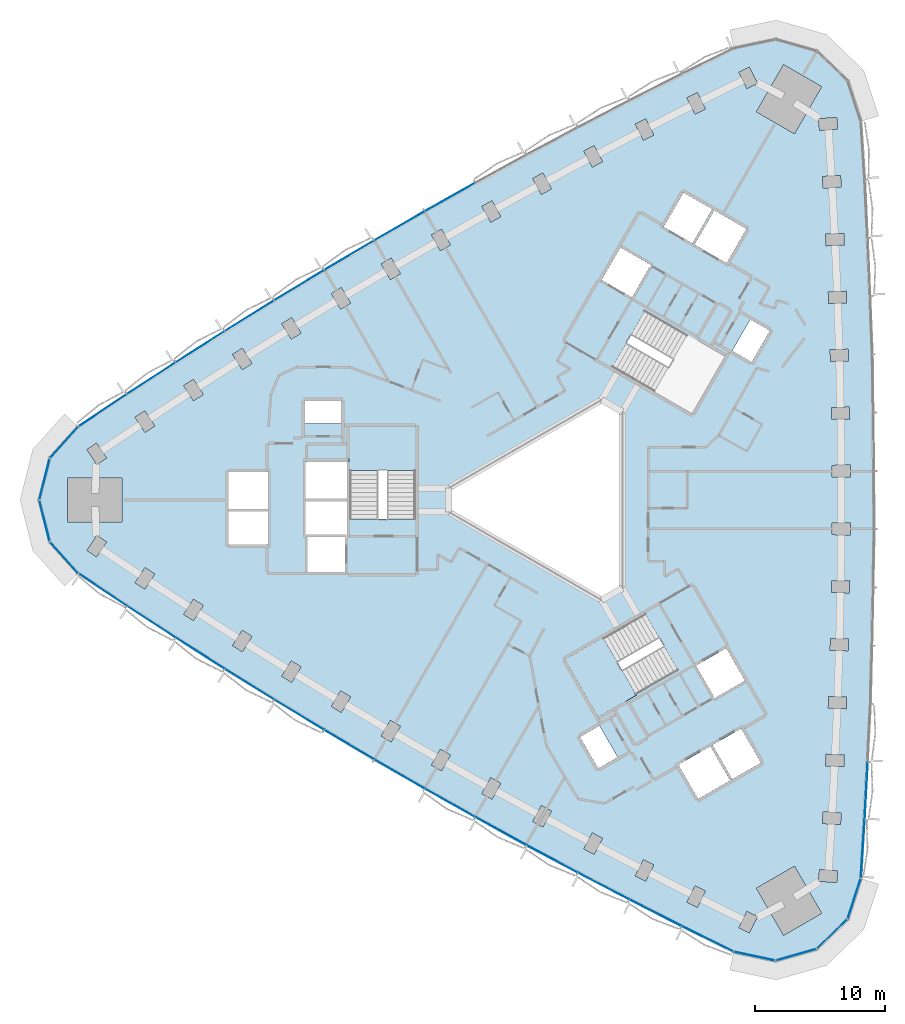
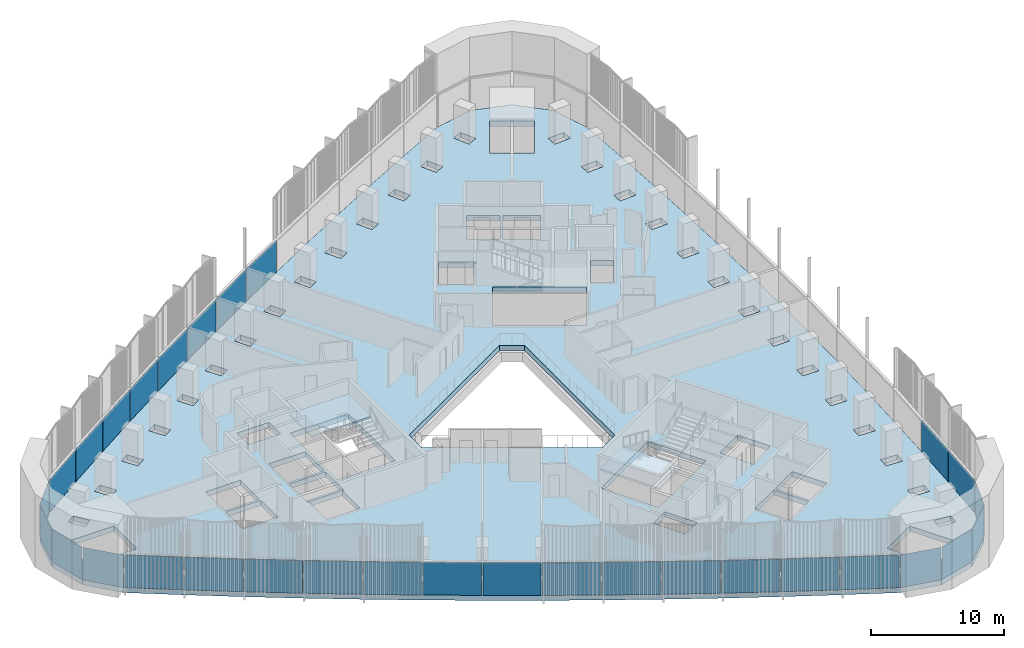
# One storey, part 8 of 16: 31 plates, 3 slabs, 5 elements without a shape of their own.
"""IFC4 building model written with IfcOpenShell, lengths in metres."""

import ifcopenshell
import ifcopenshell.guid

model = None  # the IFC model being written
_history = None  # IfcOwnerHistory: only IFC2X3 demands one
_inside = {}  # id of a spatial element -> (the spatial element, [elements in it])
_under = {}  # id of a project, library or spatial element -> (it, [spatial elements below it])
_declared = {}  # id of a project -> (the project, [libraries it declares])
_typed = {}  # id of a type object -> (the type object, [elements of that type])
_made_of = {}  # id of a material, layer set ... -> (it, [elements and type objects made of it])


def new_model(schema):
    """Start an empty IFC model of exactly this schema.

    Asked for "IFC4X3", IfcOpenShell would pick the latest addendum, in which some entities
    have other attributes; the version numbers below select the first issue.
    IFC2X3 requires an IfcOwnerHistory on every rooted entity: one is made here for all.
    """
    global model, _history
    if schema == "IFC4X3":
        model = ifcopenshell.file(schema_version=(4, 3, 0, 0))
    else:
        model = ifcopenshell.file(schema=schema)
    _inside.clear()
    _under.clear()
    _declared.clear()
    _typed.clear()
    _made_of.clear()
    _history = None
    if model.schema == "IFC2X3":
        org = make("IfcOrganization", Name="unknown")
        user = make(
            "IfcPersonAndOrganization",
            ThePerson=make("IfcPerson", FamilyName="unknown"),
            TheOrganization=org,
        )
        app = make(
            "IfcApplication",
            ApplicationDeveloper=org,
            Version="unknown",
            ApplicationFullName="unknown",
            ApplicationIdentifier="unknown",
        )
        _history = make(
            "IfcOwnerHistory",
            OwningUser=user,
            OwningApplication=app,
            ChangeAction="ADDED",
            CreationDate=0,
        )
    return model


def make(cls, **values):
    """One entity of the class cls with the attributes given. An attribute that is None is left unset."""
    return model.create_entity(
        cls, **{name: value for name, value in values.items() if value is not None}
    )


def rooted(cls, **values):
    """An entity with a GlobalId (a new one), such as an element, a storey or a relation."""
    return make(cls, GlobalId=ifcopenshell.guid.new(), OwnerHistory=_history, **values)


def si_unit(unit_type, name, prefix=None):
    """IfcSIUnit, for example si_unit("LENGTHUNIT", "METRE", prefix="MILLI")."""
    return make("IfcSIUnit", UnitType=unit_type, Prefix=prefix, Name=name)


def assignment(units):
    """IfcUnitAssignment: the units of a project."""
    return None if units is None else make("IfcUnitAssignment", Units=units)


def point(xyz):
    """IfcCartesianPoint."""
    return None if xyz is None else make("IfcCartesianPoint", Coordinates=xyz)


def direction(xyz):
    """IfcDirection."""
    return None if xyz is None else make("IfcDirection", DirectionRatios=xyz)


def frame(location, z_axis=None, x_axis=None):
    """IfcAxis2Placement3D, a coordinate frame: its origin and axes. An axis left out is left unset."""
    return make(
        "IfcAxis2Placement3D",
        Location=point(location),
        Axis=direction(z_axis),
        RefDirection=direction(x_axis),
    )


def frame_2d(location, x_axis=None):
    """IfcAxis2Placement2D, a coordinate frame in the plane: its origin and x axis."""
    return make(
        "IfcAxis2Placement2D", Location=point(location), RefDirection=direction(x_axis)
    )


def origin():
    """The frame at (0, 0, 0) with its axes left unset."""
    return frame((0.0, 0.0, 0.0))


def origin_2d():
    """The frame at (0, 0) in the plane with its x axis left unset."""
    return frame_2d((0.0, 0.0))


def place(relative_to, where):
    """IfcLocalPlacement: puts the frame where relative to a parent placement (None: the world)."""
    return make(
        "IfcLocalPlacement", PlacementRelTo=relative_to, RelativePlacement=where
    )


def context(
    kind, dimensions, precision=None, world=None, true_north=None, identifier=None
):
    """IfcGeometricRepresentationContext, for example the 3D "Model" context."""
    return make(
        "IfcGeometricRepresentationContext",
        ContextIdentifier=identifier,
        ContextType=kind,
        CoordinateSpaceDimension=dimensions,
        Precision=precision,
        WorldCoordinateSystem=world,
        TrueNorth=true_north,
    )


def subcontext(parent, identifier, kind, view, scale=None):
    """IfcGeometricRepresentationSubContext, for example "Body" below "Model"."""
    return make(
        "IfcGeometricRepresentationSubContext",
        ContextIdentifier=identifier,
        ContextType=kind,
        ParentContext=parent,
        TargetScale=scale,
        TargetView=view,
    )


def project(units=None, contexts=None):
    """IfcProject with its units and contexts."""
    return rooted(
        "IfcProject",
        Name="project",
        RepresentationContexts=contexts,
        UnitsInContext=assignment(units),
    )


def spatial(cls, under=None, at=None, **own):
    """A site, building, storey or space (cls), placed at a placement, below another one or the project."""
    s = rooted(cls, ObjectPlacement=at, **own)
    if under is not None:
        _under.setdefault(under.id(), (under, []))[1].append(s)
    return s


def polyline(points):
    """IfcPolyline through the points."""
    return make("IfcPolyline", Points=[point(p) for p in points])


def profile(cls, at=None, kind="AREA", **sizes):
    """A parametric profile (cls). Its sizes go by their IFC names, for example OverallWidth=200.0."""
    return make(cls, ProfileType=kind, Position=at, **sizes)


def rectangle(**sizes):
    """IfcRectangleProfileDef."""
    return profile("IfcRectangleProfileDef", **sizes)


def outline(outer, holes=None, kind="AREA"):
    """IfcArbitraryClosedProfileDef: a profile drawn as a closed curve; with holes, ...WithVoids."""
    if holes is None:
        return make("IfcArbitraryClosedProfileDef", ProfileType=kind, OuterCurve=outer)
    return make(
        "IfcArbitraryProfileDefWithVoids",
        ProfileType=kind,
        OuterCurve=outer,
        InnerCurves=holes,
    )


def extrude(swept, where, along, depth):
    """IfcExtrudedAreaSolid: the profile swept, set in the frame where, extruded along a direction by depth."""
    return make(
        "IfcExtrudedAreaSolid",
        SweptArea=swept,
        Position=where,
        ExtrudedDirection=direction(along),
        Depth=depth,
    )


def shape(context_of_items, identifier, shape_type, items):
    """IfcShapeRepresentation: the items that make up one representation, for example the "Body"."""
    return make(
        "IfcShapeRepresentation",
        ContextOfItems=context_of_items,
        RepresentationIdentifier=identifier,
        RepresentationType=shape_type,
        Items=items,
    )


def material(Name=None, Category=None):
    """IfcMaterial."""
    return make("IfcMaterial", Name=Name, Category=Category)


def layer(
    of_material, thickness, ventilated=None, Name=None, Category=None, Priority=None
):
    """IfcMaterialLayer: one layer of a wall or slab, of a material (None: an air gap)."""
    return make(
        "IfcMaterialLayer",
        Material=of_material,
        LayerThickness=thickness,
        IsVentilated=ventilated,
        Name=Name,
        Category=Category,
        Priority=Priority,
    )


def layer_set(layers, Name=None):
    """IfcMaterialLayerSet."""
    return make("IfcMaterialLayerSet", MaterialLayers=layers, LayerSetName=Name)


def made_of(thing, what):
    """Note that an element or type object is made of a material, layer set ...; save() writes the relation."""
    if what is not None:
        _made_of.setdefault(what.id(), (what, []))[1].append(thing)
    return thing


def type_object(cls, material=None, **own):
    """A type object (cls), such as IfcWallType, which elements share."""
    return made_of(rooted(cls, **own), material)


def element(
    cls,
    number,
    at=None,
    inside=None,
    cuts=None,
    type_object=None,
    material=None,
    context=None,
    identifier="Body",
    shape_type=None,
    held_by="IfcProductDefinitionShape",
    body=None,
    shapes=None,
    **own,
):
    """One element of the class cls, such as IfcWall. Its Tag is "e" and its number.

    at: its placement. inside: the storey or other place that contains it. cuts: it is an
    opening in that element (IfcRelVoidsElement). A single representation is given by context,
    identifier, shape_type and body (its items); several are given by shapes. held_by: the class
    of the entity that holds the representations. save() writes the other relations.
    """
    e = rooted(cls, Tag="e%d" % number, ObjectPlacement=at, **own)
    if body is not None:
        shapes = [shape(context, identifier, shape_type, body)]
    if shapes is not None:
        e.Representation = make(held_by, Representations=shapes)
    if inside is not None:
        _inside.setdefault(inside.id(), (inside, []))[1].append(e)
    if cuts is not None:
        rooted(
            "IfcRelVoidsElement", RelatingBuildingElement=cuts, RelatedOpeningElement=e
        )
    if type_object is not None:
        _typed.setdefault(type_object.id(), (type_object, []))[1].append(e)
    return made_of(e, material)


def aggregate(whole, parts):
    """IfcRelAggregates: a whole, such as a stair, and the parts it consists of."""
    return rooted("IfcRelAggregates", RelatingObject=whole, RelatedObjects=parts)


def save(model, path):
    """Write the relations noted so far, then the file.

    IfcRelAggregates (storeys below a building ...), IfcRelContainedInSpatialStructure (elements
    in a storey), IfcRelDefinesByType, IfcRelAssociatesMaterial and IfcRelDeclares: one each for
    every whole, place, type object, material and project.
    """
    for whole, parts in _under.values():
        aggregate(whole, parts)
    for where, things in _inside.values():
        rooted(
            "IfcRelContainedInSpatialStructure",
            RelatedElements=things,
            RelatingStructure=where,
        )
    for kind, things in _typed.values():
        rooted("IfcRelDefinesByType", RelatedObjects=things, RelatingType=kind)
    for what, things in _made_of.values():
        rooted("IfcRelAssociatesMaterial", RelatedObjects=things, RelatingMaterial=what)
    for by, libraries in _declared.values():
        rooted("IfcRelDeclares", RelatingContext=by, RelatedDefinitions=libraries)
    model.write(path)


model = new_model("IFC4")

# Units and contexts
model_context = context("Model", 3, precision=1e-05, world=origin(), true_north=direction((0.0, 1.0)))
body_context = subcontext(model_context, "Body", "Model", "MODEL_VIEW")
ifc_project = project(units=[si_unit("LENGTHUNIT", "METRE"), si_unit("AREAUNIT", "SQUARE_METRE"), si_unit("VOLUMEUNIT", "CUBIC_METRE"), si_unit("PLANEANGLEUNIT", "RADIAN"), si_unit("MASSUNIT", "GRAM", prefix="KILO")], contexts=[model_context])

# Site, building, storey
site_placement = place(None, origin())
site = spatial("IfcSite", under=ifc_project, at=site_placement, CompositionType="ELEMENT")
building_placement = place(site_placement, origin())
building = spatial("IfcBuilding", under=site, at=building_placement, Name="Tamra Quay Hotel Tower", CompositionType="ELEMENT")
storey_placement = place(building_placement, frame((0.0, 0.0, 45.800048828125)))
storey = spatial("IfcBuildingStorey", under=building, at=storey_placement, Name="L09", CompositionType="ELEMENT", Elevation=45.800048828125)

# Stair, slab
ifc_material_1 = material(Name="Exit stair 2200 24 risers 150.0 going 342")
stair_type = type_object("IfcStairType", Name="Exit stair 2200 24 risers 150.0 going 342", PredefinedType="HALF_TURN_STAIR", material=ifc_material_1)
stair_1_placement = place(storey_placement, origin())
stair_1 = element("IfcStair", 1, at=stair_1_placement, inside=storey, type_object=stair_type, Name="L09 Exit stair ST3", PredefinedType="HALF_TURN_STAIR")
ifc_material_2 = material(Name="Concrete M70", Category="concrete")
ifc_layer_1 = layer(ifc_material_2, 0.175048828125)
ifc_layer_set_1 = layer_set([ifc_layer_1], Name="Concrete M70 stair landing 180")
slab_type_1 = type_object("IfcSlabType", Name="Concrete M70 stair landing 180", PredefinedType="LANDING", material=ifc_layer_set_1)
slab_1_placement = place(storey_placement, frame((0.0, 0.0, 1.625)))
slab_1 = element("IfcSlab", 2, at=slab_1_placement, type_object=slab_type_1, Name="ST3 landing 1", PredefinedType="LANDING", context=body_context, shape_type="SweptSolid", body=[
    extrude(outline(polyline([(-10.932373046875, 2.261962890625), (-10.932373046875, 5.679931640625), (-16.09130859375, 5.679931640625), (-16.09130859375, 2.261962890625), (-10.932373046875, 2.261962890625)])), origin(), (0.0, 0.0, 1.0), 0.175048828125),
])
aggregate(stair_1, [slab_1])

stair_2_placement = place(storey_placement, origin())
stair_2 = element("IfcStair", 3, at=stair_2_placement, inside=storey, type_object=stair_type, Name="L09 Exit stair ST2", PredefinedType="HALF_TURN_STAIR")
slab_2_placement = place(storey_placement, frame((0.0, 0.0, 1.625)))
slab_2 = element("IfcSlab", 4, at=slab_2_placement, type_object=slab_type_1, Name="ST2 landing 1", PredefinedType="LANDING", context=body_context, shape_type="SweptSolid", body=[
    extrude(outline(polyline([(3.50732421875, -10.5986328125), (0.547119140625, -12.3076171875), (3.126708984375, -16.775390625), (6.086669921875, -15.06640625), (3.50732421875, -10.5986328125)])), origin(), (0.0, 0.0, 1.0), 0.175048828125),
])
aggregate(stair_2, [slab_2])

# Slab
ifc_material_3 = material(Name="Concrete M60", Category="concrete")
ifc_layer_2 = layer(ifc_material_3, 0.47509765625)
ifc_layer_set_2 = layer_set([ifc_layer_2], Name="FLOOR SLAB PT 475")
slab_type_2 = type_object("IfcSlabType", Name="FLOOR SLAB PT 475", PredefinedType="FLOOR", material=ifc_layer_set_2)
slab_3_placement = place(storey_placement, frame((0.0, 0.0, -0.47509765625)))
element("IfcSlab", 5, at=slab_3_placement, inside=storey, type_object=slab_type_2, Name="SLAB-L09", PredefinedType="FLOOR", context=body_context, shape_type="SweptSolid", body=[
    extrude(outline(polyline([(23.699951171875, 24.723876953125), (23.943115234375, 20.231689453125), (24.137939453125, 15.738525390625), (24.283935546875, 11.24365234375), (24.38134765625, 6.74560546875), (24.43017578125, 2.248779296875), (24.43017578125, -2.248779296875), (24.38134765625, -6.74560546875), (24.283935546875, -11.24365234375), (24.137939453125, -15.738525390625), (23.943115234375, -20.231689453125), (23.699951171875, -24.723876953125), (23.40869140625, -29.210693359375), (22.386474609375, -32.356201171875), (20.00732421875, -34.65380859375), (16.828125, -35.5654296875), (13.593017578125, -34.877685546875), (9.5615234375, -32.88671875), (5.54931640625, -30.851318359375), (1.56103515625, -28.773193359375), (-2.40478515625, -26.65234375), (-6.3486328125, -24.48779296875), (-10.267578125, -22.281494140625), (-14.162353515625, -20.03271484375), (-18.03271484375, -17.741943359375), (-21.879150390625, -15.40869140625), (-25.698974609375, -13.034912109375), (-29.49267578125, -10.61962890625), (-33.261474609375, -8.162841796875), (-37.001708984375, -5.6669921875), (-39.214599609375, -3.208984375), (-40.0146484375, 0.0), (-39.214599609375, 3.208984375), (-37.001708984375, 5.6669921875), (-33.261474609375, 8.162841796875), (-29.49267578125, 10.61962890625), (-25.698974609375, 13.034912109375), (-21.879150390625, 15.40869140625), (-18.03271484375, 17.741943359375), (-14.162353515625, 20.03271484375), (-10.267578125, 22.281494140625), (-6.3486328125, 24.48779296875), (-2.40478515625, 26.65234375), (1.56103515625, 28.773193359375), (5.54931640625, 30.851318359375), (9.5615234375, 32.88671875), (13.593017578125, 34.877685546875), (16.828125, 35.5654296875), (20.00732421875, 34.65380859375), (22.386474609375, 32.356201171875), (23.40869140625, 29.210693359375), (23.699951171875, 24.723876953125)]), holes=[polyline([(-17.475830078125, -15.935791015625), (-16.70361328125, -16.39794921875), (-15.984375, -15.19677734375), (-16.756591796875, -14.734619140625), (-17.475830078125, -15.935791015625)]), polyline([(-20.56884765625, -12.416015625), (-21.3017578125, -13.60888671875), (-20.534912109375, -14.080078125), (-19.802001953125, -12.88720703125), (-20.56884765625, -12.416015625)]), polyline([(-24.357177734375, -10.05615234375), (-25.102294921875, -11.2412109375), (-24.340576171875, -11.72021484375), (-23.59521484375, -10.53515625), (-24.357177734375, -10.05615234375)]), polyline([(-28.11962890625, -7.6552734375), (-28.87744140625, -8.83251953125), (-28.12060546875, -9.319580078125), (-27.36279296875, -8.142578125), (-28.11962890625, -7.6552734375)]), polyline([(-31.854736328125, -5.21435546875), (-32.6259765625, -6.3828125), (-31.874755859375, -6.878662109375), (-31.103515625, -5.710205078125), (-31.854736328125, -5.21435546875)]), polyline([(-16.3173828125, -2.85498046875), (-19.4072265625, -2.85498046875), (-19.4072265625, -2.89306640625), (-19.307373046875, -2.89306640625), (-19.307373046875, -5.544921875), (-16.417236328125, -5.544921875), (-16.417236328125, -2.89306640625), (-16.3173828125, -2.89306640625), (-16.3173828125, -2.85498046875)]), polyline([(-35.565185546875, -2.73291015625), (-36.347900390625, -3.8935546875), (-35.601806640625, -4.396728515625), (-34.819091796875, -3.236083984375), (-35.565185546875, -2.73291015625)]), polyline([(-22.3671875, -3.445068359375), (-22.3671875, -0.905029296875), (-25.4072265625, -0.905029296875), (-25.4072265625, -3.445068359375), (-22.3671875, -3.445068359375)]), polyline([(-19.417236328125, -2.89306640625), (-19.417236328125, -2.64501953125), (-16.307373046875, -2.64501953125), (-16.307373046875, -2.89306640625), (-16.26708984375, -2.89306640625), (-16.26708984375, -0.10498046875), (-19.45751953125, -0.10498046875), (-19.45751953125, -2.89306640625), (-19.417236328125, -2.89306640625)]), polyline([(-33.62890625, 1.699951171875), (-37.828857421875, 1.699951171875), (-37.828857421875, -1.699951171875), (-33.62890625, -1.699951171875), (-33.62890625, 1.699951171875)]), polyline([(-25.4072265625, -0.695068359375), (-22.3671875, -0.695068359375), (-22.3671875, 2.14501953125), (-25.4072265625, 2.14501953125), (-25.4072265625, -0.695068359375)]), polyline([(-19.45751953125, 0.10498046875), (-16.26708984375, 0.10498046875), (-16.26708984375, 2.945068359375), (-19.45751953125, 2.945068359375), (-19.45751953125, 0.10498046875)]), polyline([(-16.036376953125, -1.455078125), (-10.9873046875, -1.455078125), (-10.9873046875, 5.625), (-16.036376953125, 5.625), (-16.036376953125, -1.455078125)]), polyline([(-34.819091796875, 3.236083984375), (-35.601806640625, 4.396728515625), (-36.347900390625, 3.8935546875), (-35.565185546875, 2.73291015625), (-34.819091796875, 3.236083984375)]), polyline([(-31.103515625, 5.710205078125), (-31.874755859375, 6.878662109375), (-32.6259765625, 6.3828125), (-31.854736328125, 5.21435546875), (-31.103515625, 5.710205078125)]), polyline([(-16.71728515625, 7.64501953125), (-19.50732421875, 7.64501953125), (-19.50732421875, 5.9150390625), (-16.71728515625, 5.9150390625), (-16.71728515625, 7.64501953125)]), polyline([(-27.36279296875, 8.142578125), (-28.12060546875, 9.319580078125), (-28.87744140625, 8.83251953125), (-28.11962890625, 7.6552734375), (-27.36279296875, 8.142578125)]), polyline([(-23.59521484375, 10.53515625), (-24.340576171875, 11.72021484375), (-25.102294921875, 11.2412109375), (-24.357177734375, 10.05615234375), (-23.59521484375, 10.53515625)]), polyline([(-19.802001953125, 12.88720703125), (-20.534912109375, 14.080078125), (-21.3017578125, 13.60888671875), (-20.56884765625, 12.416015625), (-19.802001953125, 12.88720703125)]), polyline([(-15.984375, 15.19677734375), (-16.70361328125, 16.39794921875), (-17.475830078125, 15.935791015625), (-16.756591796875, 14.734619140625), (-15.984375, 15.19677734375)]), polyline([(-12.141357421875, 17.466064453125), (-12.84765625, 18.6748046875), (-13.624755859375, 18.220703125), (-12.918212890625, 17.011962890625), (-12.141357421875, 17.466064453125)]), polyline([(10.606689453125, -29.79150390625), (9.980224609375, -31.04345703125), (10.78515625, -31.4462890625), (11.41162109375, -30.194091796875), (10.606689453125, -29.79150390625)]), polyline([(6.6298828125, -27.76806640625), (5.9892578125, -29.012939453125), (6.78955078125, -29.4248046875), (7.43017578125, -28.179931640625), (6.6298828125, -27.76806640625)]), polyline([(2.673828125, -25.70166015625), (2.02001953125, -26.939697265625), (2.81591796875, -27.35986328125), (3.4697265625, -26.121826171875), (2.673828125, -25.70166015625)]), polyline([(-1.259521484375, -23.5927734375), (-1.92626953125, -24.82373046875), (-1.134765625, -25.252197265625), (-0.46826171875, -24.021240234375), (-1.259521484375, -23.5927734375)]), polyline([(-5.168701171875, -21.44140625), (-5.849365234375, -22.664794921875), (-5.06298828125, -23.102294921875), (-4.382080078125, -21.87890625), (-5.168701171875, -21.44140625)]), polyline([(13.3056640625, -21.65576171875), (11.78564453125, -19.02294921875), (9.325927734375, -20.443115234375), (10.845947265625, -23.075927734375), (13.3056640625, -21.65576171875)]), polyline([(-9.055419921875, -19.247802734375), (-9.7490234375, -20.4638671875), (-8.96728515625, -20.90966796875), (-8.273681640625, -19.693603515625), (-9.055419921875, -19.247802734375)]), polyline([(1.73779296875, -18.300048828125), (3.1328125, -20.71630859375), (4.631103515625, -19.851318359375), (3.236083984375, -17.43505859375), (1.73779296875, -18.300048828125)]), polyline([(-12.918212890625, -17.011962890625), (-13.624755859375, -18.220703125), (-12.84765625, -18.6748046875), (-12.141357421875, -17.466064453125), (-12.918212890625, -17.011962890625)]), polyline([(10.68115234375, -12.790283203125), (12.05615234375, -15.171875), (11.969482421875, -15.2216796875), (12.03955078125, -15.343017578125), (14.455810546875, -13.947998046875), (13.0107421875, -11.4453125), (10.68115234375, -12.790283203125)]), polyline([(9.2783203125, -13.160400390625), (6.75390625, -8.78759765625), (0.622314453125, -12.32763671875), (3.146728515625, -16.7001953125), (9.2783203125, -13.160400390625)]), polyline([(3.39990234375, 7.736572265625), (-8.39990234375, 0.923828125), (-8.39990234375, -0.923828125), (3.39990234375, -7.736572265625), (5.0, -6.812744140625), (5.0, 6.812744140625), (3.39990234375, 7.736572265625)]), polyline([(6.758056640625, 14.615478515625), (4.2333984375, 10.242919921875), (10.364990234375, 6.702880859375), (12.889404296875, 11.075439453125), (6.758056640625, 14.615478515625)]), polyline([(5.736083984375, 15.645263671875), (7.111083984375, 18.02685546875), (7.19775390625, 17.976806640625), (7.267578125, 18.09814453125), (4.8515625, 19.4931640625), (3.406494140625, 16.990234375), (5.736083984375, 15.645263671875)]), polyline([(-8.273681640625, 19.693603515625), (-8.96728515625, 20.90966796875), (-9.7490234375, 20.4638671875), (-9.055419921875, 19.247802734375), (-8.273681640625, 19.693603515625)]), polyline([(8.2001953125, 21.093017578125), (10.39990234375, 19.822998046875), (11.919921875, 22.455810546875), (9.72021484375, 23.725830078125), (8.2001953125, 21.093017578125)]), polyline([(-4.382080078125, 21.87890625), (-5.06298828125, 23.102294921875), (-5.849365234375, 22.664794921875), (-5.168701171875, 21.44140625), (-4.382080078125, 21.87890625)]), polyline([(-0.46826171875, 24.021240234375), (-1.134765625, 25.252197265625), (-1.92626953125, 24.82373046875), (-1.259521484375, 23.5927734375), (-0.46826171875, 24.021240234375)]), polyline([(3.4697265625, 26.121826171875), (2.81591796875, 27.35986328125), (2.02001953125, 26.939697265625), (2.673828125, 25.70166015625), (3.4697265625, 26.121826171875)]), polyline([(7.43017578125, 28.179931640625), (6.78955078125, 29.4248046875), (5.9892578125, 29.012939453125), (6.6298828125, 27.76806640625), (7.43017578125, 28.179931640625)]), polyline([(11.41162109375, 30.194091796875), (10.78515625, 31.4462890625), (9.980224609375, 31.04345703125), (10.606689453125, 29.79150390625), (11.41162109375, 30.194091796875)]), polyline([(14.60693359375, -31.772216796875), (13.993408203125, -33.030517578125), (14.80224609375, -33.425048828125), (15.416015625, -32.166748046875), (14.60693359375, -31.772216796875)]), polyline([(15.34228515625, -29.973388671875), (17.442138671875, -33.61083984375), (20.38671875, -31.910888671875), (18.28662109375, -28.2734375), (15.34228515625, -29.973388671875)]), polyline([(20.1494140625, -29.43408203125), (21.5458984375, -29.53173828125), (21.608642578125, -28.6337890625), (20.212158203125, -28.5361328125), (20.1494140625, -29.43408203125)]), polyline([(20.443115234375, -24.979736328125), (21.840576171875, -25.0634765625), (21.894287109375, -24.1650390625), (20.496826171875, -24.081298828125), (20.443115234375, -24.979736328125)]), polyline([(20.689453125, -20.524658203125), (22.087890625, -20.59228515625), (22.13134765625, -19.693359375), (20.73291015625, -19.625732421875), (20.689453125, -20.524658203125)]), polyline([(14.1669921875, -17.648193359375), (11.96728515625, -18.91796875), (13.487548828125, -21.55078125), (15.68701171875, -20.281005859375), (14.1669921875, -17.648193359375)]), polyline([(20.887451171875, -16.06591796875), (22.286376953125, -16.11865234375), (22.3203125, -15.219482421875), (20.92138671875, -15.16650390625), (20.887451171875, -16.06591796875)]), polyline([(21.037109375, -11.60498046875), (22.4365234375, -11.643310546875), (22.461181640625, -10.74365234375), (21.0615234375, -10.70556640625), (21.037109375, -11.60498046875)]), polyline([(21.138916015625, -7.144287109375), (22.538818359375, -7.16650390625), (22.552978515625, -6.2666015625), (21.153076171875, -6.244384765625), (21.138916015625, -7.144287109375)]), polyline([(21.19189453125, -2.681640625), (22.591796875, -2.68896484375), (22.5966796875, -1.7890625), (21.19677734375, -1.781494140625), (21.19189453125, -2.681640625)]), polyline([(21.19677734375, 1.781494140625), (22.5966796875, 1.7890625), (22.591796875, 2.68896484375), (21.19189453125, 2.681640625), (21.19677734375, 1.781494140625)]), polyline([(21.153076171875, 6.244384765625), (22.552978515625, 6.2666015625), (22.538818359375, 7.16650390625), (21.138916015625, 7.144287109375), (21.153076171875, 6.244384765625)]), polyline([(21.0615234375, 10.70556640625), (22.461181640625, 10.74365234375), (22.4365234375, 11.643310546875), (21.037109375, 11.60498046875), (21.0615234375, 10.70556640625)]), polyline([(14.9794921875, 10.655029296875), (16.37451171875, 13.0712890625), (14.876220703125, 13.936279296875), (13.481201171875, 11.52001953125), (14.9794921875, 10.655029296875)]), polyline([(20.92138671875, 15.16650390625), (22.3203125, 15.219482421875), (22.286376953125, 16.11865234375), (20.887451171875, 16.06591796875), (20.92138671875, 15.16650390625)]), polyline([(20.73291015625, 19.625732421875), (22.13134765625, 19.693359375), (22.087890625, 20.59228515625), (20.689453125, 20.524658203125), (20.73291015625, 19.625732421875)]), polyline([(12.101806640625, 22.350830078125), (10.58154296875, 19.718017578125), (13.041259765625, 18.298095703125), (14.561279296875, 20.930908203125), (12.101806640625, 22.350830078125)]), polyline([(20.496826171875, 24.081298828125), (21.894287109375, 24.1650390625), (21.840576171875, 25.0634765625), (20.443115234375, 24.979736328125), (20.496826171875, 24.081298828125)]), polyline([(20.212158203125, 28.5361328125), (21.608642578125, 28.6337890625), (21.5458984375, 29.53173828125), (20.1494140625, 29.43408203125), (20.212158203125, 28.5361328125)]), polyline([(18.28662109375, 28.2734375), (20.38671875, 31.910888671875), (17.442138671875, 33.61083984375), (15.34228515625, 29.973388671875), (18.28662109375, 28.2734375)]), polyline([(15.416015625, 32.166748046875), (14.80224609375, 33.425048828125), (13.993408203125, 33.030517578125), (14.60693359375, 31.772216796875), (15.416015625, 32.166748046875)])]), origin(), (0.0, 0.0, 1.0), 0.47509765625),
])

# Curtain wall, plates
ifc_material_4 = material(Name="Aluminium 6063 anodised dark grey", Category="aluminium")
curtain_wall_type_1 = type_object("IfcCurtainWallType", Name="CW1 CURTAIN WALL", PredefinedType="NOTDEFINED", material=ifc_material_4)
curtain_wall_1_placement = place(storey_placement, origin())
curtain_wall_1 = element("IfcCurtainWall", 6, at=curtain_wall_1_placement, inside=storey, type_object=curtain_wall_type_1, Name="CW1 east face L09", PredefinedType="NOTDEFINED")
ifc_material_5 = material(Name="Glass clear laminated low-iron", Category="glass")
ifc_layer_3 = layer(ifc_material_5, 0.035888671875)
ifc_layer_set_3 = layer_set([ifc_layer_3], Name="GLASS PANEL CW1 Z1")
plate_type_1 = type_object("IfcPlateType", Name="GLASS PANEL CW1 Z1", PredefinedType="CURTAIN_PANEL", material=ifc_layer_set_3)
plate_1_placement = place(storey_placement, frame((23.55419921875, -26.96728515625, 0.0), z_axis=(0.0, 0.0, 1.0), x_axis=(0.064813097616, 0.997897420769, 0.0)))
plate_1 = element("IfcPlate", 7, at=plate_1_placement, type_object=plate_type_1, Name="CW1 glass L09.E.1", PredefinedType="CURTAIN_PANEL", context=body_context, shape_type="SweptSolid", body=[
    extrude(rectangle(XDim=4.396484375, YDim=0.035888671875, at=origin_2d()), origin(), (0.0, 0.0, 1.0), 2.985107421875),
])
plate_2_placement = place(storey_placement, frame((23.821533203125, -22.477783203125, 0.0), z_axis=(0.0, 0.0, 1.0), x_axis=(0.054062119595, 0.998537574268, 0.0)))
plate_2 = element("IfcPlate", 8, at=plate_2_placement, type_object=plate_type_1, Name="CW1 glass L09.E.2", PredefinedType="CURTAIN_PANEL", context=body_context, shape_type="SweptSolid", body=[
    extrude(rectangle(XDim=4.39892578125, YDim=0.035888671875, at=origin_2d()), origin(), (0.0, 0.0, 1.0), 2.985107421875),
])
aggregate(curtain_wall_1, [plate_1, plate_2])

curtain_wall_type_2 = type_object("IfcCurtainWallType", Name="CW2 CURTAIN WALL", PredefinedType="NOTDEFINED", material=ifc_material_4)
curtain_wall_2_placement = place(storey_placement, origin())
curtain_wall_2 = element("IfcCurtainWall", 9, at=curtain_wall_2_placement, inside=storey, type_object=curtain_wall_type_2, Name="CW2 north-west face L09", PredefinedType="NOTDEFINED")
ifc_layer_4 = layer(ifc_material_5, 0.035888671875)
ifc_layer_set_4 = layer_set([ifc_layer_4], Name="GLASS PANEL CW2 Z1")
plate_type_2 = type_object("IfcPlateType", Name="GLASS PANEL CW2 Z1", PredefinedType="CURTAIN_PANEL", material=ifc_layer_set_4)
plate_3_placement = place(storey_placement, frame((-8.30810546875, 23.384521484375, 0.0), z_axis=(0.0, 0.0, 1.0), x_axis=(-0.871392472945, -0.490586544959, 0.0)))
plate_3 = element("IfcPlate", 10, at=plate_3_placement, type_object=plate_type_2, Name="CW2 glass L09.NW.6", PredefinedType="CURTAIN_PANEL", context=body_context, shape_type="SweptSolid", body=[
    extrude(rectangle(XDim=4.397216796875, YDim=0.035888671875, at=origin_2d()), origin(), (0.0, 0.0, 1.0), 2.985107421875),
])
plate_4_placement = place(storey_placement, frame((-12.215087890625, 21.156982421875, 0.0), z_axis=(0.0, 0.0, 1.0), x_axis=(-0.866025403784, -0.5, 0.0)))
plate_4 = element("IfcPlate", 11, at=plate_4_placement, type_object=plate_type_2, Name="CW2 glass L09.NW.7", PredefinedType="CURTAIN_PANEL", context=body_context, shape_type="SweptSolid", body=[
    extrude(rectangle(XDim=4.397216796875, YDim=0.035888671875, at=origin_2d()), origin(), (0.0, 0.0, 1.0), 2.985107421875),
])
plate_5_placement = place(storey_placement, frame((-16.09765625, 18.887451171875, 0.0), z_axis=(0.0, 0.0, 1.0), x_axis=(-0.860556647162, -0.509354745757, 0.0)))
plate_5 = element("IfcPlate", 12, at=plate_5_placement, type_object=plate_type_2, Name="CW2 glass L09.NW.8", PredefinedType="CURTAIN_PANEL", context=body_context, shape_type="SweptSolid", body=[
    extrude(rectangle(XDim=4.397216796875, YDim=0.035888671875, at=origin_2d()), origin(), (0.0, 0.0, 1.0), 2.985107421875),
])
plate_6_placement = place(storey_placement, frame((-19.955810546875, 16.575439453125, 0.0), z_axis=(0.0, 0.0, 1.0), x_axis=(-0.85499355735, -0.51863861878, 0.0)))
plate_6 = element("IfcPlate", 13, at=plate_6_placement, type_object=plate_type_2, Name="CW2 glass L09.NW.9", PredefinedType="CURTAIN_PANEL", context=body_context, shape_type="SweptSolid", body=[
    extrude(rectangle(XDim=4.39892578125, YDim=0.035888671875, at=origin_2d()), origin(), (0.0, 0.0, 1.0), 2.985107421875),
])
plate_7_placement = place(storey_placement, frame((-23.7890625, 14.2216796875, 0.0), z_axis=(0.0, 0.0, 1.0), x_axis=(-0.849331223164, -0.527860278254, 0.0)))
plate_7 = element("IfcPlate", 14, at=plate_7_placement, type_object=plate_type_2, Name="CW2 glass L09.NW.10", PredefinedType="CURTAIN_PANEL", context=body_context, shape_type="SweptSolid", body=[
    extrude(rectangle(XDim=4.397216796875, YDim=0.035888671875, at=origin_2d()), origin(), (0.0, 0.0, 1.0), 2.985107421875),
])
plate_8_placement = place(storey_placement, frame((-27.595703125, 11.8271484375, 0.0), z_axis=(0.0, 0.0, 1.0), x_axis=(-0.84357098627, -0.537017682319, 0.0)))
plate_8 = element("IfcPlate", 15, at=plate_8_placement, type_object=plate_type_2, Name="CW2 glass L09.NW.11", PredefinedType="CURTAIN_PANEL", context=body_context, shape_type="SweptSolid", body=[
    extrude(rectangle(XDim=4.397216796875, YDim=0.035888671875, at=origin_2d()), origin(), (0.0, 0.0, 1.0), 2.985107421875),
])
plate_9_placement = place(storey_placement, frame((-31.376953125, 9.391357421875, 0.0), z_axis=(0.0, 0.0, 1.0), x_axis=(-0.837727846152, -0.546087956086, 0.0)))
plate_9 = element("IfcPlate", 16, at=plate_9_placement, type_object=plate_type_2, Name="CW2 glass L09.NW.12", PredefinedType="CURTAIN_PANEL", context=body_context, shape_type="SweptSolid", body=[
    extrude(rectangle(XDim=4.39892578125, YDim=0.035888671875, at=origin_2d()), origin(), (0.0, 0.0, 1.0), 2.985107421875),
])
plate_10_placement = place(storey_placement, frame((-35.131591796875, 6.9150390625, 0.0), z_axis=(0.0, 0.0, 1.0), x_axis=(-0.831797967949, -0.555078499418, 0.0)))
plate_10 = element("IfcPlate", 17, at=plate_10_placement, type_object=plate_type_2, Name="CW2 glass L09.NW.13", PredefinedType="CURTAIN_PANEL", context=body_context, shape_type="SweptSolid", body=[
    extrude(rectangle(XDim=4.396484375, YDim=0.035888671875, at=origin_2d()), origin(), (0.0, 0.0, 1.0), 2.985107421875),
])
plate_11_placement = place(storey_placement, frame((-38.108154296875, 4.43798828125, 0.0), z_axis=(0.0, 0.0, 1.0), x_axis=(-0.669112198553, -0.743161399527, 0.0)))
plate_11 = element("IfcPlate", 18, at=plate_11_placement, type_object=plate_type_2, Name="CW2 glass L09.NW.14", PredefinedType="CURTAIN_PANEL", context=body_context, shape_type="SweptSolid", body=[
    extrude(rectangle(XDim=3.207275390625, YDim=0.035888671875, at=origin_2d()), origin(), (0.0, 0.0, 1.0), 2.985107421875),
])
plate_12_placement = place(storey_placement, frame((-39.61474609375, 1.6044921875, 0.0), z_axis=(0.0, 0.0, 1.0), x_axis=(-0.241913884219, -0.970297723702, 0.0)))
plate_12 = element("IfcPlate", 19, at=plate_12_placement, type_object=plate_type_2, Name="CW2 glass L09.NW.15", PredefinedType="CURTAIN_PANEL", context=body_context, shape_type="SweptSolid", body=[
    extrude(rectangle(XDim=3.207275390625, YDim=0.035888671875, at=origin_2d()), origin(), (0.0, 0.0, 1.0), 2.985107421875),
])
plate_13_placement = place(storey_placement, frame((-39.61474609375, -1.6044921875, 0.0), z_axis=(0.0, 0.0, 1.0), x_axis=(0.24191388422, -0.970297723702, 0.0)))
plate_13 = element("IfcPlate", 20, at=plate_13_placement, type_object=plate_type_2, Name="CW2 glass L09.NW.16", PredefinedType="CURTAIN_PANEL", context=body_context, shape_type="SweptSolid", body=[
    extrude(rectangle(XDim=3.207275390625, YDim=0.035888671875, at=origin_2d()), origin(), (0.0, 0.0, 1.0), 2.985107421875),
])
plate_14_placement = place(storey_placement, frame((-38.108154296875, -4.43798828125, 0.0), z_axis=(0.0, 0.0, 1.0), x_axis=(0.669112198553, -0.743161399527, 0.0)))
plate_14 = element("IfcPlate", 21, at=plate_14_placement, type_object=plate_type_2, Name="CW2 glass L09.NW.17", PredefinedType="CURTAIN_PANEL", context=body_context, shape_type="SweptSolid", body=[
    extrude(rectangle(XDim=3.207275390625, YDim=0.035888671875, at=origin_2d()), origin(), (0.0, 0.0, 1.0), 2.985107421875),
])
aggregate(curtain_wall_2, [plate_3, plate_4, plate_5, plate_6, plate_7, plate_8, plate_9, plate_10, plate_11, plate_12, plate_13, plate_14])

curtain_wall_type_3 = type_object("IfcCurtainWallType", Name="CW3 CURTAIN WALL", PredefinedType="NOTDEFINED", material=ifc_material_4)
curtain_wall_3_placement = place(storey_placement, origin())
curtain_wall_3 = element("IfcCurtainWall", 22, at=curtain_wall_3_placement, inside=storey, type_object=curtain_wall_type_3, Name="CW3 south-west face L09", PredefinedType="NOTDEFINED")
ifc_layer_5 = layer(ifc_material_5, 0.035888671875)
ifc_layer_set_5 = layer_set([ifc_layer_5], Name="GLASS PANEL CW3 Z1")
plate_type_3 = type_object("IfcPlateType", Name="GLASS PANEL CW3 Z1", PredefinedType="CURTAIN_PANEL", material=ifc_layer_set_5)
plate_15_placement = place(storey_placement, frame((-35.131591796875, -6.9150390625, 0.0), z_axis=(0.0, 0.0, 1.0), x_axis=(0.831797967949, -0.555078499418, 0.0)))
plate_15 = element("IfcPlate", 23, at=plate_15_placement, type_object=plate_type_3, Name="CW3 glass L09.SW.1", PredefinedType="CURTAIN_PANEL", context=body_context, shape_type="SweptSolid", body=[
    extrude(rectangle(XDim=4.396484375, YDim=0.035888671875, at=origin_2d()), origin(), (0.0, 0.0, 1.0), 2.985107421875),
])
plate_16_placement = place(storey_placement, frame((-31.376953125, -9.391357421875, 0.0), z_axis=(0.0, 0.0, 1.0), x_axis=(0.837727846152, -0.546087956086, 0.0)))
plate_16 = element("IfcPlate", 24, at=plate_16_placement, type_object=plate_type_3, Name="CW3 glass L09.SW.2", PredefinedType="CURTAIN_PANEL", context=body_context, shape_type="SweptSolid", body=[
    extrude(rectangle(XDim=4.39892578125, YDim=0.035888671875, at=origin_2d()), origin(), (0.0, 0.0, 1.0), 2.985107421875),
])
plate_17_placement = place(storey_placement, frame((-27.595703125, -11.8271484375, 0.0), z_axis=(0.0, 0.0, 1.0), x_axis=(0.84357098627, -0.537017682319, 0.0)))
plate_17 = element("IfcPlate", 25, at=plate_17_placement, type_object=plate_type_3, Name="CW3 glass L09.SW.3", PredefinedType="CURTAIN_PANEL", context=body_context, shape_type="SweptSolid", body=[
    extrude(rectangle(XDim=4.397216796875, YDim=0.035888671875, at=origin_2d()), origin(), (0.0, 0.0, 1.0), 2.985107421875),
])
plate_18_placement = place(storey_placement, frame((-23.7890625, -14.2216796875, 0.0), z_axis=(0.0, 0.0, 1.0), x_axis=(0.849331223164, -0.527860278254, 0.0)))
plate_18 = element("IfcPlate", 26, at=plate_18_placement, type_object=plate_type_3, Name="CW3 glass L09.SW.4", PredefinedType="CURTAIN_PANEL", context=body_context, shape_type="SweptSolid", body=[
    extrude(rectangle(XDim=4.397216796875, YDim=0.035888671875, at=origin_2d()), origin(), (0.0, 0.0, 1.0), 2.985107421875),
])
plate_19_placement = place(storey_placement, frame((-19.955810546875, -16.575439453125, 0.0), z_axis=(0.0, 0.0, 1.0), x_axis=(0.85499355735, -0.51863861878, 0.0)))
plate_19 = element("IfcPlate", 27, at=plate_19_placement, type_object=plate_type_3, Name="CW3 glass L09.SW.5", PredefinedType="CURTAIN_PANEL", context=body_context, shape_type="SweptSolid", body=[
    extrude(rectangle(XDim=4.39892578125, YDim=0.035888671875, at=origin_2d()), origin(), (0.0, 0.0, 1.0), 2.985107421875),
])
plate_20_placement = place(storey_placement, frame((-16.09765625, -18.887451171875, 0.0), z_axis=(0.0, 0.0, 1.0), x_axis=(0.860556647162, -0.509354745757, 0.0)))
plate_20 = element("IfcPlate", 28, at=plate_20_placement, type_object=plate_type_3, Name="CW3 glass L09.SW.6", PredefinedType="CURTAIN_PANEL", context=body_context, shape_type="SweptSolid", body=[
    extrude(rectangle(XDim=4.397216796875, YDim=0.035888671875, at=origin_2d()), origin(), (0.0, 0.0, 1.0), 2.985107421875),
])
plate_21_placement = place(storey_placement, frame((-12.215087890625, -21.156982421875, 0.0), z_axis=(0.0, 0.0, 1.0), x_axis=(0.866025403784, -0.5, 0.0)))
plate_21 = element("IfcPlate", 29, at=plate_21_placement, type_object=plate_type_3, Name="CW3 glass L09.SW.7", PredefinedType="CURTAIN_PANEL", context=body_context, shape_type="SweptSolid", body=[
    extrude(rectangle(XDim=4.397216796875, YDim=0.035888671875, at=origin_2d()), origin(), (0.0, 0.0, 1.0), 2.985107421875),
])
plate_22_placement = place(storey_placement, frame((-8.30810546875, -23.384521484375, 0.0), z_axis=(0.0, 0.0, 1.0), x_axis=(0.871392472945, -0.490586544959, 0.0)))
plate_22 = element("IfcPlate", 30, at=plate_22_placement, type_object=plate_type_3, Name="CW3 glass L09.SW.8", PredefinedType="CURTAIN_PANEL", context=body_context, shape_type="SweptSolid", body=[
    extrude(rectangle(XDim=4.397216796875, YDim=0.035888671875, at=origin_2d()), origin(), (0.0, 0.0, 1.0), 2.985107421875),
])
plate_23_placement = place(storey_placement, frame((-4.376708984375, -25.570068359375, 0.0), z_axis=(0.0, 0.0, 1.0), x_axis=(0.876650997922, -0.481126831347, 0.0)))
plate_23 = element("IfcPlate", 31, at=plate_23_placement, type_object=plate_type_3, Name="CW3 glass L09.SW.9", PredefinedType="CURTAIN_PANEL", context=body_context, shape_type="SweptSolid", body=[
    extrude(rectangle(XDim=4.39892578125, YDim=0.035888671875, at=origin_2d()), origin(), (0.0, 0.0, 1.0), 2.985107421875),
])
plate_24_placement = place(storey_placement, frame((-0.421875, -27.712890625, 0.0), z_axis=(0.0, 0.0, 1.0), x_axis=(0.881806022199, -0.47161227636, 0.0)))
plate_24 = element("IfcPlate", 32, at=plate_24_placement, type_object=plate_type_3, Name="CW3 glass L09.SW.10", PredefinedType="CURTAIN_PANEL", context=body_context, shape_type="SweptSolid", body=[
    extrude(rectangle(XDim=4.397216796875, YDim=0.035888671875, at=origin_2d()), origin(), (0.0, 0.0, 1.0), 2.985107421875),
])
plate_25_placement = place(storey_placement, frame((3.55517578125, -29.812255859375, 0.0), z_axis=(0.0, 0.0, 1.0), x_axis=(0.886856448305, -0.462045062846, 0.0)))
plate_25 = element("IfcPlate", 33, at=plate_25_placement, type_object=plate_type_3, Name="CW3 glass L09.SW.11", PredefinedType="CURTAIN_PANEL", context=body_context, shape_type="SweptSolid", body=[
    extrude(rectangle(XDim=4.397216796875, YDim=0.035888671875, at=origin_2d()), origin(), (0.0, 0.0, 1.0), 2.985107421875),
])
plate_26_placement = place(storey_placement, frame((7.555419921875, -31.868896484375, 0.0), z_axis=(0.0, 0.0, 1.0), x_axis=(0.891789965747, -0.452449618182, 0.0)))
plate_26 = element("IfcPlate", 34, at=plate_26_placement, type_object=plate_type_3, Name="CW3 glass L09.SW.12", PredefinedType="CURTAIN_PANEL", context=body_context, shape_type="SweptSolid", body=[
    extrude(rectangle(XDim=4.39892578125, YDim=0.035888671875, at=origin_2d()), origin(), (0.0, 0.0, 1.0), 2.985107421875),
])
plate_27_placement = place(storey_placement, frame((11.5771484375, -33.88232421875, 0.0), z_axis=(0.0, 0.0, 1.0), x_axis=(0.896611065565, -0.442818921351, 0.0)))
plate_27 = element("IfcPlate", 35, at=plate_27_placement, type_object=plate_type_3, Name="CW3 glass L09.SW.13", PredefinedType="CURTAIN_PANEL", context=body_context, shape_type="SweptSolid", body=[
    extrude(rectangle(XDim=4.396484375, YDim=0.035888671875, at=origin_2d()), origin(), (0.0, 0.0, 1.0), 2.985107421875),
])
plate_28_placement = place(storey_placement, frame((15.210693359375, -35.2216796875, 0.0), z_axis=(0.0, 0.0, 1.0), x_axis=(0.978152750379, -0.207887462165, 0.0)))
plate_28 = element("IfcPlate", 36, at=plate_28_placement, type_object=plate_type_3, Name="CW3 glass L09.SW.14", PredefinedType="CURTAIN_PANEL", context=body_context, shape_type="SweptSolid", body=[
    extrude(rectangle(XDim=3.207275390625, YDim=0.035888671875, at=origin_2d()), origin(), (0.0, 0.0, 1.0), 2.985107421875),
])
plate_29_placement = place(storey_placement, frame((18.417724609375, -35.109619140625, 0.0), z_axis=(0.0, 0.0, 1.0), x_axis=(0.96125942007, 0.275645292589, 0.0)))
plate_29 = element("IfcPlate", 37, at=plate_29_placement, type_object=plate_type_3, Name="CW3 glass L09.SW.15", PredefinedType="CURTAIN_PANEL", context=body_context, shape_type="SweptSolid", body=[
    extrude(rectangle(XDim=3.207275390625, YDim=0.035888671875, at=origin_2d()), origin(), (0.0, 0.0, 1.0), 2.985107421875),
])
plate_30_placement = place(storey_placement, frame((21.197021484375, -33.5048828125, 0.0), z_axis=(0.0, 0.0, 1.0), x_axis=(0.719345535851, 0.694652431113, 0.0)))
plate_30 = element("IfcPlate", 38, at=plate_30_placement, type_object=plate_type_3, Name="CW3 glass L09.SW.16", PredefinedType="CURTAIN_PANEL", context=body_context, shape_type="SweptSolid", body=[
    extrude(rectangle(XDim=3.207275390625, YDim=0.035888671875, at=origin_2d()), origin(), (0.0, 0.0, 1.0), 2.985107421875),
])
plate_31_placement = place(storey_placement, frame((22.8974609375, -30.783447265625, 0.0), z_axis=(0.0, 0.0, 1.0), x_axis=(0.309040551826, 0.951048861693, 0.0)))
plate_31 = element("IfcPlate", 39, at=plate_31_placement, type_object=plate_type_3, Name="CW3 glass L09.SW.17", PredefinedType="CURTAIN_PANEL", context=body_context, shape_type="SweptSolid", body=[
    extrude(rectangle(XDim=3.207275390625, YDim=0.035888671875, at=origin_2d()), origin(), (0.0, 0.0, 1.0), 2.985107421875),
])
aggregate(curtain_wall_3, [plate_15, plate_16, plate_17, plate_18, plate_19, plate_20, plate_21, plate_22, plate_23, plate_24, plate_25, plate_26, plate_27, plate_28, plate_29, plate_30, plate_31])

save(model, "model.ifc")
